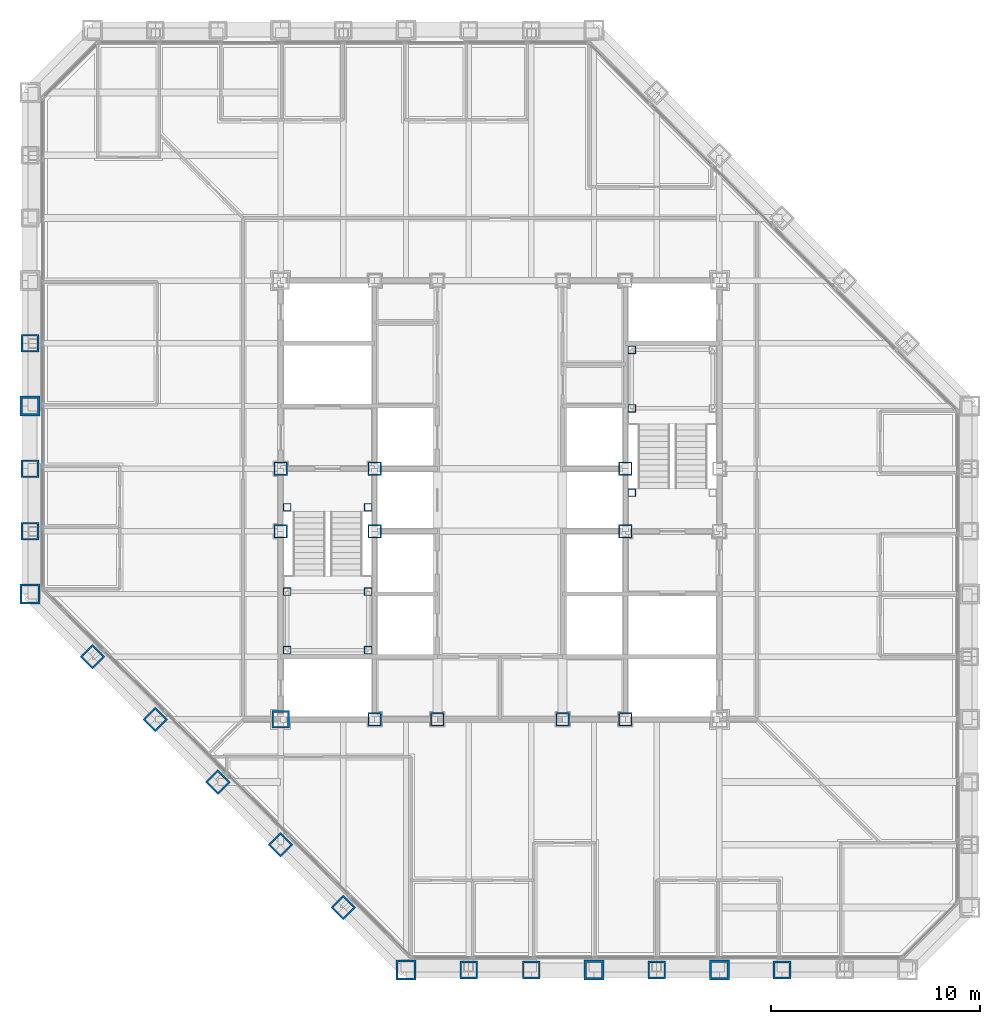
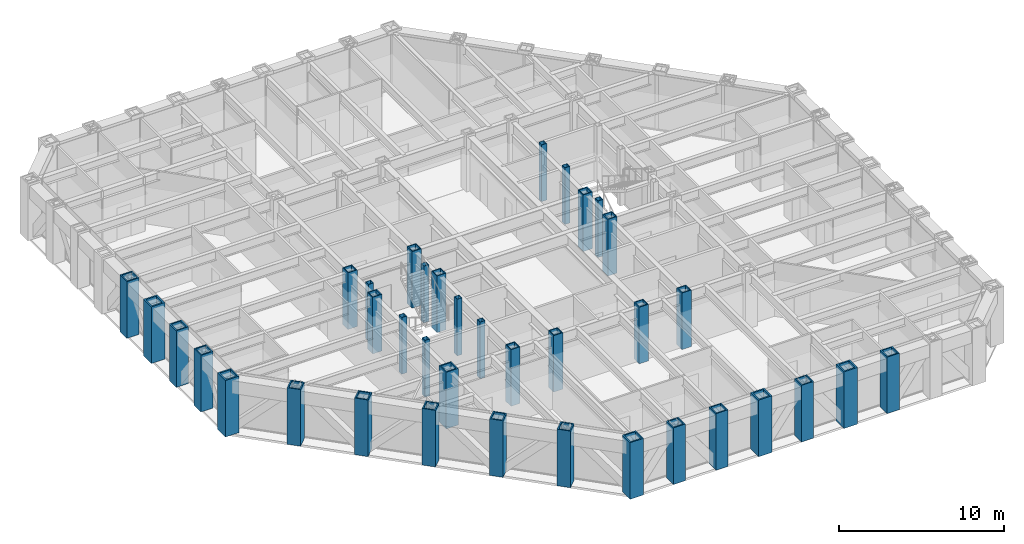
# One storey, part 1 of 17: 37 columns.
"""IFC4 building model written with IfcOpenShell, lengths in metres."""

from ifc_helpers import new_model, si_unit, direction, frame, origin, origin_2d, place, context, subcontext, project, spatial, hollow_rectangle, extrude, material, material_profile, profile_set, type_object, element, save


model = new_model("IFC4")

# Units and contexts
model_context = context("Model", 3, precision=1e-05, world=origin(), true_north=direction((0.0, 1.0)))
body_context = subcontext(model_context, "Body", "Model", "MODEL_VIEW")
ifc_project = project(units=[si_unit("LENGTHUNIT", "METRE"), si_unit("AREAUNIT", "SQUARE_METRE"), si_unit("VOLUMEUNIT", "CUBIC_METRE"), si_unit("PLANEANGLEUNIT", "RADIAN"), si_unit("MASSUNIT", "GRAM", prefix="KILO")], contexts=[model_context])

# Site, building, storey
site_placement = place(None, origin())
site = spatial("IfcSite", under=ifc_project, at=site_placement, CompositionType="ELEMENT")
building_placement = place(site_placement, origin())
building = spatial("IfcBuilding", under=site, at=building_placement, Name="Chuquiago Exchange Tower", CompositionType="ELEMENT")
storey_placement = place(building_placement, frame((0.0, 0.0, 165.60009765625)))
storey = spatial("IfcBuildingStorey", under=building, at=storey_placement, Name="L36", CompositionType="ELEMENT", Elevation=165.60009765625)

# Columns
ifc_material_1 = material(Name="Steel ASTM A572 Grade 50", Category="steel")
ifc_material_profile_1 = material_profile(ifc_material_1, hollow_rectangle(XDim=0.85009765625, YDim=0.85009765625, WallThickness=0.0849609375, at=origin_2d()), Name="BOX850X850X85")
ifc_profile_set_1 = profile_set([ifc_material_profile_1], Name="Steel ASTM A572 Grade 50")
column_type_1 = type_object("IfcColumnType", Name="C6 BOX850X850X85", PredefinedType="COLUMN", material=ifc_profile_set_1)
for number, where, z_axis, x_axis, name in (
    (1, (21.0, 0.0, 0.0), (0.0, 0.0, 1.0), (0.0, -1.0, 0.0), "COL-L36-21_0"),
    (2, (24.0, 0.0, 0.0), (0.0, 0.0, 1.0), (0.0, -1.0, 0.0), "COL-L36-24_0"),
    (3, (30.0, 0.0, 0.0), (0.0, 0.0, 1.0), (0.0, -1.0, 0.0), "COL-L36-30_0"),
    (4, (36.0, 0.0, 0.0), (0.0, 0.0, 1.0), (0.0, -1.0, 0.0), "COL-L36-36_0"),
    (5, (0.0, 30.0, 0.0), (0.0, 0.0, 1.0), (-1.0, 0.0, 0.0), "COL-L36-0_30"),
    (6, (0.0, 24.0, 0.0), (0.0, 0.0, 1.0), (-1.0, 0.0, 0.0), "COL-L36-0_24"),
    (7, (0.0, 21.0, 0.0), (0.0, 0.0, 1.0), (-1.0, 0.0, 0.0), "COL-L36-0_21"),
    (8, (3.0, 15.0, 0.0), (0.0, 0.0, 1.0), (-0.707106781187, -0.707106781187, 0.0), "COL-L36-3_15"),
    (9, (6.0, 12.0, 0.0), (0.0, 0.0, 1.0), (-0.707106781187, -0.707106781187, 0.0), "COL-L36-6_12"),
    (10, (9.0, 9.0, 0.0), (0.0, 0.0, 1.0), (-0.707106781187, -0.707106781187, 0.0), "COL-L36-9_9"),
    (11, (12.0, 6.0, 0.0), (0.0, 0.0, 1.0), (-0.707106781187, -0.707106781187, 0.0), "COL-L36-12_6"),
    (12, (15.0, 3.0, 0.0), (0.0, 0.0, 1.0), (-0.707106781187, -0.707106781187, 0.0), "COL-L36-15_3"),
):
    element("IfcColumn", number, at=place(storey_placement, frame(where, z_axis=z_axis, x_axis=x_axis)), inside=storey, type_object=column_type_1, Name=name, PredefinedType="COLUMN", context=body_context, shape_type="SweptSolid", body=[
        extrude(hollow_rectangle(XDim=0.85009765625, YDim=0.85009765625, WallThickness=0.0849609375, at=origin_2d()), origin(), (0.0, 0.0, 1.0), 4.199951171875),
    ])
ifc_material_2 = material(Name="Steel ASTM A572 Grade 50", Category="steel")
ifc_material_profile_2 = material_profile(ifc_material_2, hollow_rectangle(XDim=0.85009765625, YDim=0.85009765625, WallThickness=0.0849609375, at=origin_2d()), Name="BOX850X850X85")
ifc_profile_set_2 = profile_set([ifc_material_profile_2], Name="Steel ASTM A572 Grade 50")
column_type_2 = type_object("IfcColumnType", Name="CC6 BOX850X850X85", PredefinedType="COLUMN", material=ifc_profile_set_2)
column_placement = place(storey_placement, frame((12.0, 12.0, 0.0), z_axis=(0.0, 0.0, 1.0), x_axis=(1.0, 0.0, 0.0)))
element("IfcColumn", 13, at=column_placement, inside=storey, type_object=column_type_2, Name="CCOL-L36-12_12", PredefinedType="COLUMN", context=body_context, shape_type="SweptSolid", body=[
    extrude(hollow_rectangle(XDim=0.85009765625, YDim=0.85009765625, WallThickness=0.0849609375, at=origin_2d()), origin(), (0.0, 0.0, 1.0), 4.199951171875),
])
ifc_material_3 = material(Name="Steel ASTM A572 Grade 50", Category="steel")
ifc_material_profile_3 = material_profile(ifc_material_3, hollow_rectangle(XDim=0.64990234375, YDim=0.64990234375, WallThickness=0.06494140625, at=origin_2d()), Name="BOX650X650X65")
ifc_profile_set_3 = profile_set([ifc_material_profile_3], Name="Steel ASTM A572 Grade 50")
column_type_3 = type_object("IfcColumnType", Name="CC7 BOX650X650X65", PredefinedType="COLUMN", material=ifc_profile_set_3)
for number, where, z_axis, x_axis, name in (
    (14, (16.5, 12.0, 0.0), (0.0, 0.0, 1.0), (1.0, 0.0, 0.0), "CCOL-L36-16.5_12"),
    (15, (19.5, 12.0, 0.0), (0.0, 0.0, 1.0), (1.0, 0.0, 0.0), "CCOL-L36-19.5_12"),
    (16, (25.5, 12.0, 0.0), (0.0, 0.0, 1.0), (1.0, 0.0, 0.0), "CCOL-L36-25.5_12"),
    (17, (28.5, 12.0, 0.0), (0.0, 0.0, 1.0), (1.0, 0.0, 0.0), "CCOL-L36-28.5_12"),
    (18, (12.0, 21.0, 0.0), (0.0, 0.0, 1.0), (1.0, 0.0, 0.0), "CCOL-L36-12_21"),
    (19, (12.0, 24.0, 0.0), (0.0, 0.0, 1.0), (1.0, 0.0, 0.0), "CCOL-L36-12_24"),
    (20, (16.5, 21.0, 0.0), (0.0, 0.0, 1.0), (1.0, 0.0, 0.0), "CCOL-L36-16.5_21"),
    (21, (16.5, 24.0, 0.0), (0.0, 0.0, 1.0), (1.0, 0.0, 0.0), "CCOL-L36-16.5_24"),
    (22, (28.5, 21.0, 0.0), (0.0, 0.0, 1.0), (1.0, 0.0, 0.0), "CCOL-L36-28.5_21"),
    (23, (28.5, 24.0, 0.0), (0.0, 0.0, 1.0), (1.0, 0.0, 0.0), "CCOL-L36-28.5_24"),
):
    element("IfcColumn", number, at=place(storey_placement, frame(where, z_axis=z_axis, x_axis=x_axis)), inside=storey, type_object=column_type_3, Name=name, PredefinedType="COLUMN", context=body_context, shape_type="SweptSolid", body=[
        extrude(hollow_rectangle(XDim=0.64990234375, YDim=0.64990234375, WallThickness=0.06494140625, at=origin_2d()), origin(), (0.0, 0.0, 1.0), 4.199951171875),
    ])
ifc_material_4 = material(Name="Steel ASTM A572 Grade 50", Category="steel")
ifc_material_profile_4 = material_profile(ifc_material_4, hollow_rectangle(XDim=0.949951171875, YDim=0.949951171875, WallThickness=0.094970703125, at=origin_2d()), Name="BOX950X950X95")
ifc_profile_set_4 = profile_set([ifc_material_profile_4], Name="Steel ASTM A572 Grade 50")
column_type_4 = type_object("IfcColumnType", Name="CN1 BOX950X950X95", PredefinedType="COLUMN", material=ifc_profile_set_4)
for number, where, z_axis, x_axis, name in (
    (24, (18.0, 0.0, 0.0), (0.0, 0.0, 1.0), (0.0, -1.0, 0.0), "COL-L36-18_0"),
    (25, (0.0, 18.0, 0.0), (0.0, 0.0, 1.0), (-1.0, 0.0, 0.0), "COL-L36-0_18"),
):
    element("IfcColumn", number, at=place(storey_placement, frame(where, z_axis=z_axis, x_axis=x_axis)), inside=storey, type_object=column_type_4, Name=name, PredefinedType="COLUMN", context=body_context, shape_type="SweptSolid", body=[
        extrude(hollow_rectangle(XDim=0.949951171875, YDim=0.949951171875, WallThickness=0.094970703125, at=origin_2d()), origin(), (0.0, 0.0, 1.0), 4.199951171875),
    ])
ifc_material_5 = material(Name="Steel ASTM A572 Grade 42", Category="steel")
ifc_material_profile_5 = material_profile(ifc_material_5, hollow_rectangle(XDim=0.949951171875, YDim=0.949951171875, WallThickness=0.110107421875, at=origin_2d()), Name="BOX950X950X110")
ifc_profile_set_5 = profile_set([ifc_material_profile_5], Name="Steel ASTM A572 Grade 42")
column_type_5 = type_object("IfcColumnType", Name="CT1 BOX950X950X110", PredefinedType="COLUMN", material=ifc_profile_set_5)
for number, where, z_axis, x_axis, name in (
    (26, (27.0, 0.0, 0.0), (0.0, 0.0, 1.0), (0.0, -1.0, 0.0), "COL-L36-27_0"),
    (27, (33.0, 0.0, 0.0), (0.0, 0.0, 1.0), (0.0, -1.0, 0.0), "COL-L36-33_0"),
    (28, (0.0, 27.0, 0.0), (0.0, 0.0, 1.0), (-1.0, 0.0, 0.0), "COL-L36-0_27"),
):
    element("IfcColumn", number, at=place(storey_placement, frame(where, z_axis=z_axis, x_axis=x_axis)), inside=storey, type_object=column_type_5, Name=name, PredefinedType="COLUMN", context=body_context, shape_type="SweptSolid", body=[
        extrude(hollow_rectangle(XDim=0.949951171875, YDim=0.949951171875, WallThickness=0.110107421875, at=origin_2d()), origin(), (0.0, 0.0, 1.0), 4.199951171875),
    ])
ifc_material_6 = material(Name="Steel ASTM A500 Grade C", Category="steel")
ifc_material_profile_6 = material_profile(ifc_material_6, hollow_rectangle(XDim=0.355712890625, YDim=0.355712890625, WallThickness=0.0146484375, at=origin_2d()), Name="HSS14X14X5/8")
ifc_profile_set_6 = profile_set([ifc_material_profile_6], Name="Steel ASTM A500 Grade C")
column_type_6 = type_object("IfcColumnType", Name="PT2 HSS14X14X5/8", PredefinedType="COLUMN", material=ifc_profile_set_6)
for number, where, z_axis, x_axis, name in (
    (29, (12.31005859375, 15.31005859375, 0.0), (0.0, 0.0, 1.0), (1.0, 0.0, 0.0), "Stair ST1 L36 landing post"),
    (30, (16.18994140625, 15.31005859375, 0.0), (0.0, 0.0, 1.0), (1.0, 0.0, 0.0), "Stair ST1 L36 landing post"),
    (31, (12.31005859375, 18.110107421875, 0.0), (0.0, 0.0, 1.0), (1.0, 0.0, 0.0), "Stair ST1 L36 landing post"),
    (32, (16.18994140625, 18.110107421875, 0.0), (0.0, 0.0, 1.0), (1.0, 0.0, 0.0), "Stair ST1 L36 landing post"),
    (33, (12.31005859375, 22.14990234375, 0.0), (0.0, 0.0, 1.0), (1.0, 0.0, 0.0), "Stair ST1 L36 landing post"),
    (34, (16.18994140625, 22.14990234375, 0.0), (0.0, 0.0, 1.0), (1.0, 0.0, 0.0), "Stair ST1 L36 landing post"),
    (35, (28.81005859375, 29.68994140625, 0.0), (0.0, 0.0, 1.0), (1.0, 0.0, 0.0), "Stair ST2 L36 landing post"),
    (36, (28.81005859375, 26.889892578125, 0.0), (0.0, 0.0, 1.0), (1.0, 0.0, 0.0), "Stair ST2 L36 landing post"),
    (37, (28.81005859375, 22.85009765625, 0.0), (0.0, 0.0, 1.0), (1.0, 0.0, 0.0), "Stair ST2 L36 landing post"),
):
    element("IfcColumn", number, at=place(storey_placement, frame(where, z_axis=z_axis, x_axis=x_axis)), inside=storey, type_object=column_type_6, Name=name, PredefinedType="COLUMN", context=body_context, shape_type="SweptSolid", body=[
        extrude(hollow_rectangle(XDim=0.355712890625, YDim=0.355712890625, WallThickness=0.0146484375, at=origin_2d()), origin(), (0.0, 0.0, 1.0), 4.199951171875),
    ])

save(model, "model.ifc")
